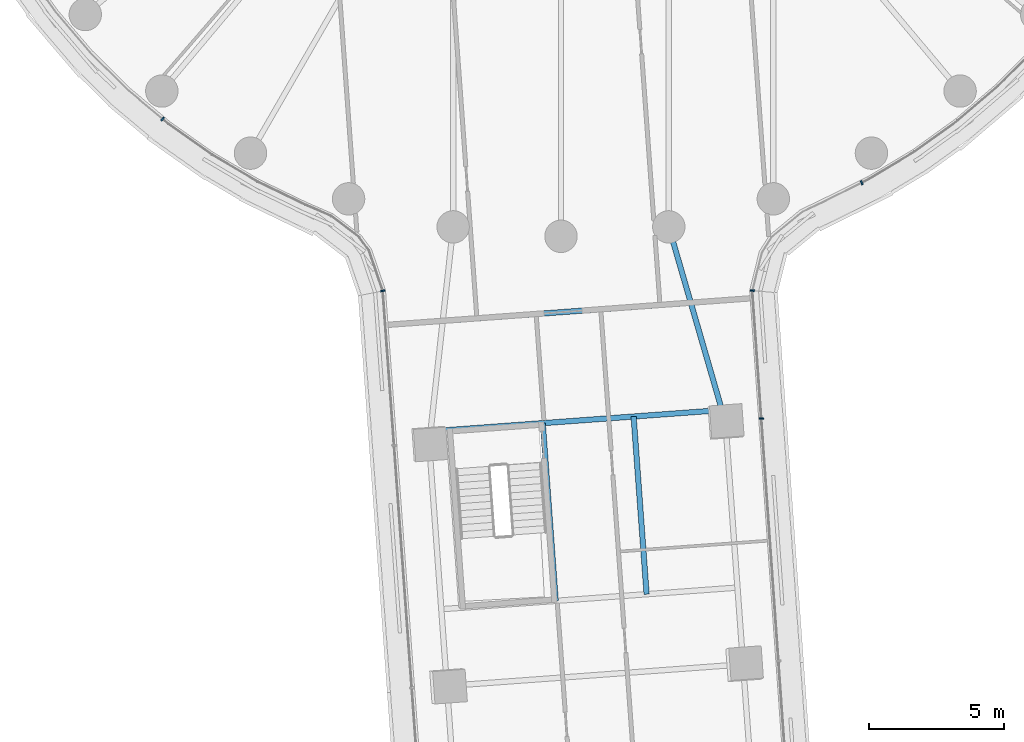
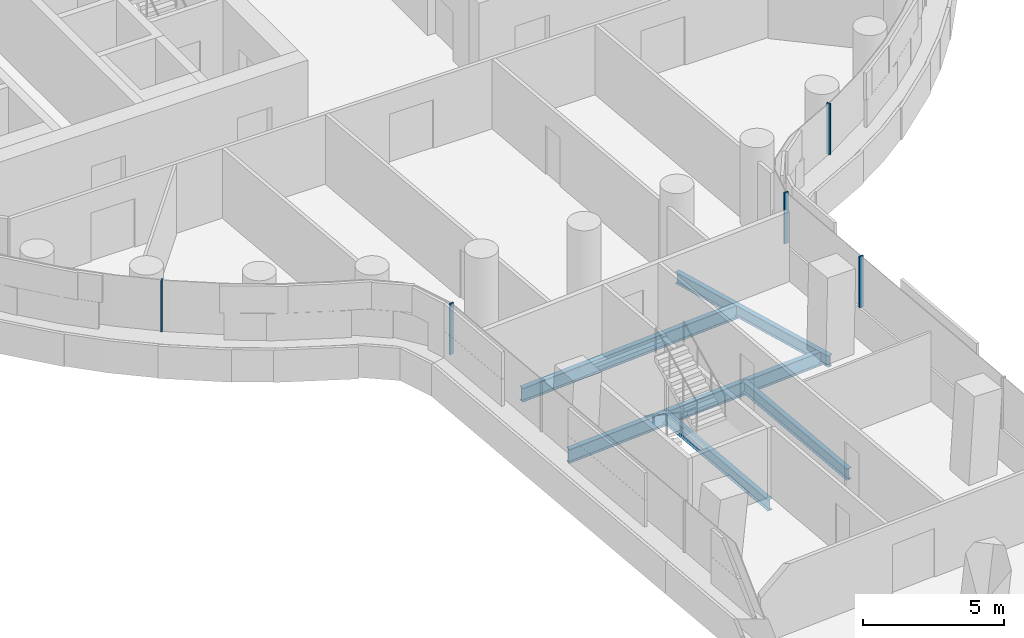
# One storey, part 3 of 31: 5 beams, 5 members, 4 elements without a shape of their own.
"""IFC4 building model written with IfcOpenShell, lengths in metres."""

from ifc_helpers import new_model, si_unit, direction, frame, origin, origin_2d, place, context, subcontext, project, spatial, rectangle, i_section, extrude, material, layer, layer_set, material_profile, profile_set, type_object, element, aggregate, save


model = new_model("IFC4")

# Units and contexts
model_context = context("Model", 3, precision=1e-05, world=origin(), true_north=direction((0.0, 1.0)))
body_context = subcontext(model_context, "Body", "Model", "MODEL_VIEW")
ifc_project = project(units=[si_unit("LENGTHUNIT", "METRE"), si_unit("AREAUNIT", "SQUARE_METRE"), si_unit("VOLUMEUNIT", "CUBIC_METRE"), si_unit("PLANEANGLEUNIT", "RADIAN"), si_unit("MASSUNIT", "GRAM", prefix="KILO")], contexts=[model_context])

# Site, building, storey
site_placement = place(None, origin())
site = spatial("IfcSite", under=ifc_project, at=site_placement, CompositionType="ELEMENT")
building_placement = place(site_placement, origin())
building = spatial("IfcBuilding", under=site, at=building_placement, Name="Tamarind Cross Interchange Tower", CompositionType="ELEMENT")
storey_placement = place(building_placement, frame((0.0, 0.0, 49.0)))
storey = spatial("IfcBuildingStorey", under=building, at=storey_placement, Name="L10", CompositionType="ELEMENT", Elevation=49.0)

# Beams
ifc_material_1 = material(Name="Steel Q355B", Category="steel")
ifc_material_profile_1 = material_profile(ifc_material_1, i_section(OverallWidth=0.198974609375, OverallDepth=0.49609375, WebThickness=0.009033203125, FlangeThickness=0.013916015625, FilletRadius=0.012939453125, at=origin_2d()), Name="HN 496x199x9x14")
ifc_profile_set_1 = profile_set([ifc_material_profile_1], Name="Steel Q355B")
beam_type_1 = type_object("IfcBeamType", Name="Composite beam HN 496x199x9x14 Q355B", PredefinedType="BEAM", material=ifc_profile_set_1)
beam_1_placement = place(storey_placement, frame((6.09033203125, -29.877197265625, -0.387939453125), z_axis=(-0.278614236089, 0.960403096334, 0.0), x_axis=(-0.960403096334, -0.278614236089, 0.0)))
element("IfcBeam", 1, at=beam_1_placement, inside=storey, type_object=beam_type_1, Name="Beam S-linkep", PredefinedType="BEAM", context=body_context, shape_type="SweptSolid", body=[
    extrude(i_section(OverallWidth=0.198974609375, OverallDepth=0.49609375, WebThickness=0.009033203125, FlangeThickness=0.013916015625, FilletRadius=0.012939453125, at=origin_2d()), origin(), (0.0, 0.0, 1.0), 7.5244140625),
])
for number, where, z_axis, x_axis, name in (
    (2, (-0.674560546875, -29.920166015625, -0.387939453125), (0.072871538843, -0.997341335164, 0.0), (0.997341335164, 0.072871538843, 0.0), "Beam S-tr1"),
    (3, (2.69140625, -29.67431640625, -0.387939453125), (0.072871538843, -0.997341335164, 0.0), (0.997341335164, 0.072871538843, 0.0), "Beam S-stripp"),
):
    element("IfcBeam", number, at=place(storey_placement, frame(where, z_axis=z_axis, x_axis=x_axis)), inside=storey, type_object=beam_type_1, Name=name, PredefinedType="BEAM", context=body_context, shape_type="SweptSolid", body=[
        extrude(i_section(OverallWidth=0.198974609375, OverallDepth=0.49609375, WebThickness=0.009033203125, FlangeThickness=0.013916015625, FilletRadius=0.012939453125, at=origin_2d()), origin(), (0.0, 0.0, 1.0), 6.60009765625),
    ])
ifc_material_profile_2 = material_profile(ifc_material_1, i_section(OverallWidth=0.199951171875, OverallDepth=0.60009765625, WebThickness=0.010986328125, FlangeThickness=0.01708984375, FilletRadius=0.012939453125, at=origin_2d()), Name="HN 600x200x11x17")
ifc_profile_set_2 = profile_set([ifc_material_profile_2], Name="Steel Q355B")
beam_type_2 = type_object("IfcBeamType", Name="Composite beam HN 600x200x11x17 Q355B", PredefinedType="BEAM", material=ifc_profile_set_2)
beam_2_placement = place(storey_placement, frame((-4.830322265625, -30.223876953125, -0.43994140625), z_axis=(0.997341247589, 0.072872737405, 0.0), x_axis=(-0.072872737405, 0.997341247589, 0.0)))
element("IfcBeam", 4, at=beam_2_placement, inside=storey, type_object=beam_type_2, Name="Beam S-x298", PredefinedType="BEAM", context=body_context, shape_type="SweptSolid", body=[
    extrude(i_section(OverallWidth=0.199951171875, OverallDepth=0.60009765625, WebThickness=0.010986328125, FlangeThickness=0.01708984375, FilletRadius=0.012939453125, at=origin_2d()), origin(), (0.0, 0.0, 1.0), 10.8212890625),
])
beam_3_placement = place(storey_placement, frame((-4.378173828125, -26.130126953125, -0.43994140625), z_axis=(0.997340165485, 0.072887545645, 0.0), x_axis=(-0.072887545645, 0.997340165485, 0.0)))
element("IfcBeam", 5, at=beam_3_placement, inside=storey, type_object=beam_type_2, Name="Beam S-x258", PredefinedType="BEAM", context=body_context, shape_type="SweptSolid", body=[
    extrude(i_section(OverallWidth=0.199951171875, OverallDepth=0.60009765625, WebThickness=0.010986328125, FlangeThickness=0.01708984375, FilletRadius=0.012939453125, at=origin_2d()), origin(), (0.0, 0.0, 1.0), 9.211181640625),
])

# Curtain wall, member
ifc_material_2 = material(Name="Aluminium 6063-T6", Category="aluminium")
ifc_layer = layer(ifc_material_2, 0.159912109375)
ifc_layer_set = layer_set([ifc_layer], Name="Aluminium 6063-T6")
curtain_wall_type = type_object("IfcCurtainWallType", Name="Office curtain wall, 9.0 m bays", PredefinedType="NOTDEFINED", material=ifc_layer_set)
curtain_wall_1_placement = place(storey_placement, origin())
curtain_wall_1 = element("IfcCurtainWall", 6, at=curtain_wall_1_placement, inside=storey, type_object=curtain_wall_type, Name="CWS-L10-06", PredefinedType="NOTDEFINED")
ifc_material_profile_3 = material_profile(ifc_material_2, rectangle(XDim=0.06005859375, YDim=0.159912109375, at=origin_2d()), Name="Mullion CW1")
ifc_profile_set_3 = profile_set([ifc_material_profile_3], Name="Aluminium 6063-T6")
member_type = type_object("IfcMemberType", Name="Mullion CW1", PredefinedType="MULLION", material=ifc_profile_set_3)
member_1_placement = place(storey_placement, frame((-14.756103515625, -18.655029296875, 1.39990234375), z_axis=(0.0, 0.0, 1.0), x_axis=(0.765858396687, -0.643009266048, 0.0)))
member_1 = element("IfcMember", 7, at=member_1_placement, type_object=member_type, Name="CWM-L10-06-02", PredefinedType="MULLION", context=body_context, shape_type="SweptSolid", body=[
    extrude(rectangle(XDim=0.06005859375, YDim=0.159912109375, at=origin_2d()), origin(), (0.0, 0.0, 1.0), 2.210205078125),
])
aggregate(curtain_wall_1, [member_1])

curtain_wall_2_placement = place(storey_placement, origin())
curtain_wall_2 = element("IfcCurtainWall", 8, at=curtain_wall_2_placement, inside=storey, type_object=curtain_wall_type, Name="CWS-L10-07", PredefinedType="NOTDEFINED")
member_2_placement = place(storey_placement, frame((-6.597412109375, -25.01953125, 1.39990234375), z_axis=(0.0, 0.0, 1.0), x_axis=(0.199434581834, -0.97991114269, 0.0)))
member_2 = element("IfcMember", 9, at=member_2_placement, type_object=member_type, Name="CWM-L10-07-00", PredefinedType="MULLION", context=body_context, shape_type="SweptSolid", body=[
    extrude(rectangle(XDim=0.06005859375, YDim=0.159912109375, at=origin_2d()), origin(), (0.0, 0.0, 1.0), 2.210205078125),
])
aggregate(curtain_wall_2, [member_2])

curtain_wall_3_placement = place(storey_placement, origin())
curtain_wall_3 = element("IfcCurtainWall", 10, at=curtain_wall_3_placement, inside=storey, type_object=curtain_wall_type, Name="CWS-L10-09", PredefinedType="NOTDEFINED")
member_3_placement = place(storey_placement, frame((7.42333984375, -29.748779296875, 1.39990234375), z_axis=(0.0, 0.0, 1.0), x_axis=(-0.070593780008, 0.997505146966, 0.0)))
member_3 = element("IfcMember", 11, at=member_3_placement, type_object=member_type, Name="CWM-L10-09-02", PredefinedType="MULLION", context=body_context, shape_type="SweptSolid", body=[
    extrude(rectangle(XDim=0.06005859375, YDim=0.159912109375, at=origin_2d()), origin(), (0.0, 0.0, 1.0), 2.210205078125),
])
aggregate(curtain_wall_3, [member_3])

# Curtain wall, members
curtain_wall_4_placement = place(storey_placement, origin())
curtain_wall_4 = element("IfcCurtainWall", 12, at=curtain_wall_4_placement, inside=storey, type_object=curtain_wall_type, Name="CWS-L10-10", PredefinedType="NOTDEFINED")
member_4_placement = place(storey_placement, frame((7.088134765625, -25.01025390625, 1.39990234375), z_axis=(0.0, 0.0, 1.0), x_axis=(0.087056288957, 0.996203394169, 0.0)))
member_4 = element("IfcMember", 13, at=member_4_placement, type_object=member_type, Name="CWM-L10-10-00", PredefinedType="MULLION", context=body_context, shape_type="SweptSolid", body=[
    extrude(rectangle(XDim=0.06005859375, YDim=0.159912109375, at=origin_2d()), origin(), (0.0, 0.0, 1.0), 2.210205078125),
])
member_5_placement = place(storey_placement, frame((11.14111328125, -21.014404296875, 1.39990234375), z_axis=(0.0, 0.0, 1.0), x_axis=(0.896492548518, 0.443058811505, 0.0)))
member_5 = element("IfcMember", 14, at=member_5_placement, type_object=member_type, Name="CWM-L10-10-01", PredefinedType="MULLION", context=body_context, shape_type="SweptSolid", body=[
    extrude(rectangle(XDim=0.06005859375, YDim=0.159912109375, at=origin_2d()), origin(), (0.0, 0.0, 1.0), 2.210205078125),
])
aggregate(curtain_wall_4, [member_4, member_5])

save(model, "model.ifc")
